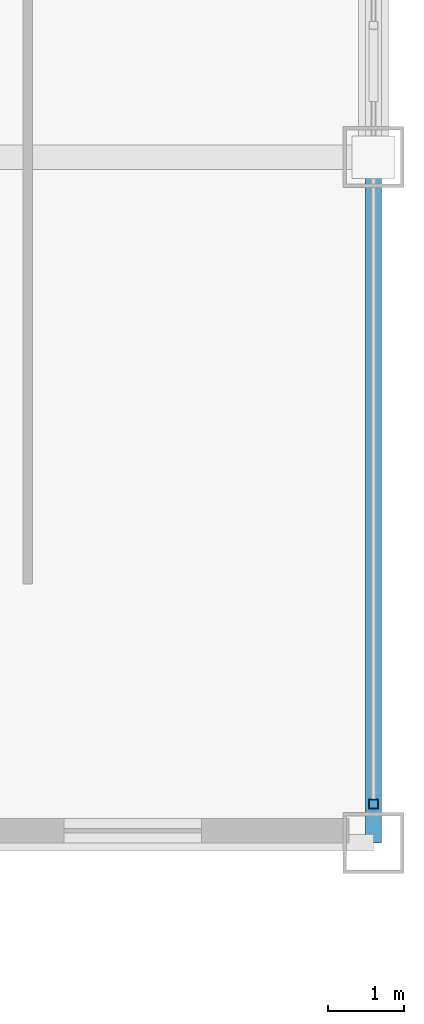
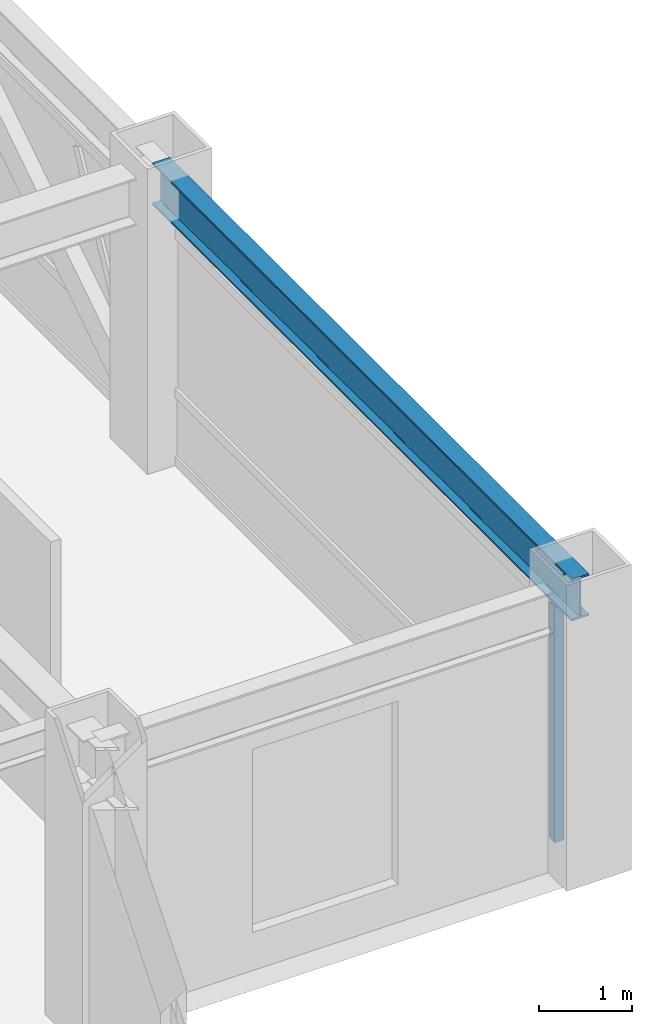
# One storey, part 10 of 28: 1 beam, 1 member, 1 element without a shape of its own.
"""IFC4 building model written with IfcOpenShell, lengths in metres."""

from ifc_helpers import new_model, si_unit, direction, frame, origin, origin_2d, place, context, subcontext, project, spatial, hollow_rectangle, i_section, extrude, source, transform, mapped, material, material_profile, profile_set, type_object, element, aggregate, save


model = new_model("IFC4")

# Units and contexts
model_context = context("Model", 3, precision=1e-05, world=origin(), true_north=direction((0.0, 1.0)))
body_context = subcontext(model_context, "Body", "Model", "MODEL_VIEW")
ifc_project = project(units=[si_unit("LENGTHUNIT", "METRE"), si_unit("AREAUNIT", "SQUARE_METRE"), si_unit("VOLUMEUNIT", "CUBIC_METRE"), si_unit("PLANEANGLEUNIT", "RADIAN"), si_unit("MASSUNIT", "GRAM", prefix="KILO")], contexts=[model_context])

# Site, building, storey
site_placement = place(None, origin())
site = spatial("IfcSite", under=ifc_project, at=site_placement, CompositionType="ELEMENT")
building_placement = place(site_placement, origin())
building = spatial("IfcBuilding", under=site, at=building_placement, Name="Khorayat Bourse Tower", CompositionType="ELEMENT")
storey_placement = place(building_placement, frame((0.0, 0.0, 338.300048828125)))
storey = spatial("IfcBuildingStorey", under=building, at=storey_placement, Name="L80", CompositionType="ELEMENT", Elevation=338.300048828125)

# Beam
ifc_material_1 = material(Name="Steel ASTM A992 Grade 50", Category="steel")
ifc_material_profile_1 = material_profile(ifc_material_1, i_section(OverallWidth=0.214111328125, OverallDepth=0.549072265625, WebThickness=0.0146484375, FlangeThickness=0.023681640625, FilletRadius=0.013916015625, at=origin_2d()), Name="W530X138")
ifc_profile_set_1 = profile_set([ifc_material_profile_1], Name="Steel ASTM A992 Grade 50")
beam_type = type_object("IfcBeamType", Name="BM-SPAN-530", PredefinedType="SPANDREL", material=ifc_profile_set_1)
shared_shape_1 = source(origin(), body_context, "Body", "SweptSolid", [
    extrude(i_section(OverallWidth=0.214111328125, OverallDepth=0.549072265625, WebThickness=0.0146484375, FlangeThickness=0.023681640625, FilletRadius=0.013916015625, at=origin_2d()), origin(), (0.0, 0.0, 1.0), 9.0),
])
beam_placement = place(storey_placement, frame((26.0, -20.0, 3.46533203125), z_axis=(0.0, 1.0, 0.0), x_axis=(-1.0, 0.0, 0.0)))
element("IfcBeam", 1, at=beam_placement, inside=storey, type_object=beam_type, Name="L80 BM-SPAN-530 BM-L80-SPN-032", PredefinedType="SPANDREL", context=body_context, shape_type="MappedRepresentation", body=[
    mapped(shared_shape_1, transform((0.0, 0.0, 0.0), scale=1.0)),
])

# Curtain wall, member
ifc_material_2 = material(Name="Aluminium EN AW-6063 T6", Category="aluminium")
curtain_wall_type = type_object("IfcCurtainWallType", Name="CW-SYS-04", PredefinedType="NOTDEFINED", material=ifc_material_2)
curtain_wall_placement = place(storey_placement, origin())
curtain_wall = element("IfcCurtainWall", 2, at=curtain_wall_placement, inside=storey, type_object=curtain_wall_type, Name="L80 Curtain Wall CW-L80-E1", PredefinedType="NOTDEFINED")
ifc_material_profile_2 = material_profile(ifc_material_2, hollow_rectangle(XDim=0.1201171875, YDim=0.1201171875, WallThickness=0.0048828125, at=origin_2d()), Name="ALU 120x120x5")
ifc_profile_set_2 = profile_set([ifc_material_profile_2], Name="Aluminium EN AW-6063 T6")
member_type = type_object("IfcMemberType", Name="CWM-VERT-120", PredefinedType="MULLION", material=ifc_profile_set_2)
shared_shape_2 = source(origin(), body_context, "Body", "SweptSolid", [
    extrude(hollow_rectangle(XDim=0.1201171875, YDim=0.1201171875, WallThickness=0.0048828125, at=origin_2d()), origin(), (0.0, 0.0, 1.0), 3.08984375),
])
member_placement = place(storey_placement, frame((26.0, -19.489990234375, 0.0), z_axis=(0.0, 0.0, 1.0), x_axis=(-1.0, 0.0, 0.0)))
member = element("IfcMember", 3, at=member_placement, type_object=member_type, Name="CW-L80-E1 Vertical Mullion 1", PredefinedType="MULLION", context=body_context, shape_type="MappedRepresentation", body=[
    mapped(shared_shape_2, transform((0.0, 0.0, 0.0), scale=1.0)),
])
aggregate(curtain_wall, [member])

save(model, "model.ifc")
